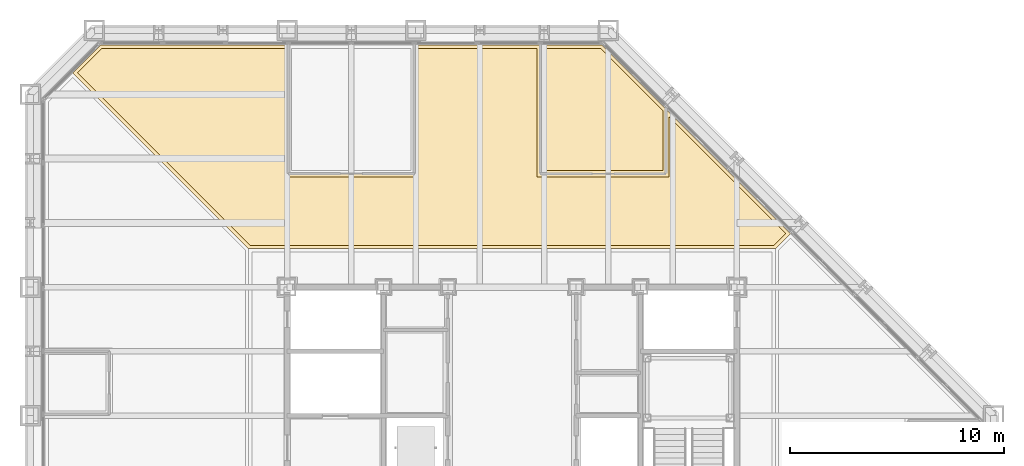
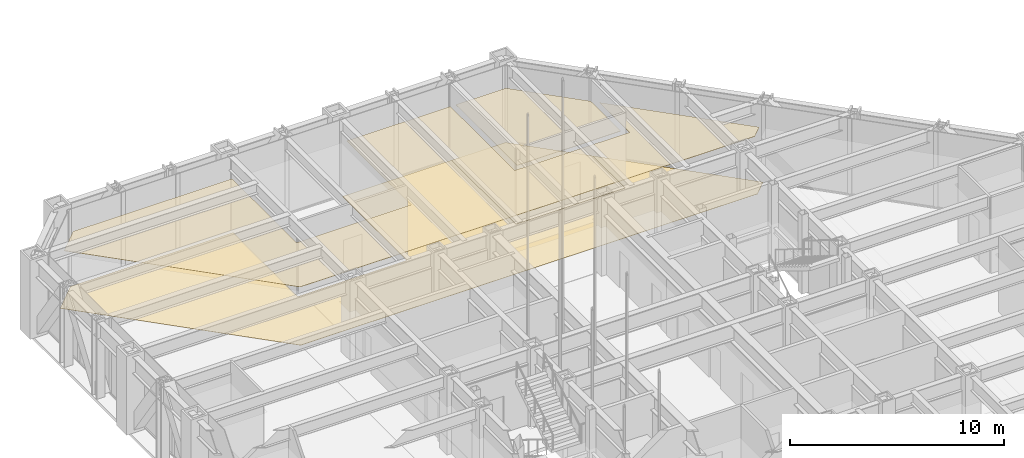
# One storey, part 17 of 26: 4 coverings.
"""IFC4 building model written with IfcOpenShell, lengths in metres."""

from ifc_helpers import new_model, si_unit, direction, frame, origin, place, context, subcontext, project, spatial, polyline, outline, extrude, material, layer, layer_set, type_object, element, save


model = new_model("IFC4")

# Units and contexts
model_context = context("Model", 3, precision=1e-05, world=origin(), true_north=direction((0.0, 1.0)))
body_context = subcontext(model_context, "Body", "Model", "MODEL_VIEW")
ifc_project = project(units=[si_unit("LENGTHUNIT", "METRE"), si_unit("AREAUNIT", "SQUARE_METRE"), si_unit("VOLUMEUNIT", "CUBIC_METRE"), si_unit("PLANEANGLEUNIT", "RADIAN"), si_unit("MASSUNIT", "GRAM", prefix="KILO")], contexts=[model_context])

# Site, building, storey
site_placement = place(None, origin())
site = spatial("IfcSite", under=ifc_project, at=site_placement, CompositionType="ELEMENT")
building_placement = place(site_placement, origin())
building = spatial("IfcBuilding", under=site, at=building_placement, Name="Chuquiago Exchange Tower", CompositionType="ELEMENT")
storey_placement = place(building_placement, frame((0.0, 0.0, 102.300048828125)))
storey = spatial("IfcBuildingStorey", under=building, at=storey_placement, Name="L21", CompositionType="ELEMENT", Elevation=102.300048828125)

# Coverings
ifc_material_1 = material(Name="Mineral fibre tile, 600 x 600, on pale metal grid", Category="mineral fibre")
ifc_layer_1 = layer(ifc_material_1, 0.02001953125)
ifc_layer_set_1 = layer_set([ifc_layer_1], Name="CL1 suspended tile ceiling 20")
covering_type_1 = type_object("IfcCoveringType", Name="CL1 suspended tile ceiling 20", PredefinedType="CEILING", material=ifc_layer_set_1)
covering_1_placement = place(storey_placement, frame((0.0, 0.0, 3.199951171875)))
element("IfcCovering", 1, at=covering_1_placement, inside=storey, type_object=covering_type_1, Name="Ceiling Conference room", PredefinedType="CEILING", context=body_context, shape_type="SweptSolid", body=[
    extrude(outline(polyline([(29.54296875, 41.255126953125), (29.54296875, 38.449951171875), (23.963623046875, 38.449951171875), (23.963623046875, 44.14990234375), (26.64794921875, 44.14990234375), (29.54296875, 41.255126953125)])), origin(), (0.0, 0.0, 1.0), 0.02001953125),
])
covering_2_placement = place(storey_placement, frame((0.0, 0.0, 3.199951171875)))
element("IfcCovering", 2, at=covering_2_placement, inside=storey, type_object=covering_type_1, Name="Ceiling Cafe", PredefinedType="CEILING", context=body_context, shape_type="SweptSolid", body=[
    extrude(outline(polyline([(11.912109375, 44.14990234375), (11.912109375, 38.14990234375), (18.087890625, 38.14990234375), (18.087890625, 44.14990234375), (23.66357421875, 44.14990234375), (23.66357421875, 38.14990234375), (29.843017578125, 38.14990234375), (29.843017578125, 40.955078125), (35.29296875, 35.5048828125), (34.73779296875, 34.949951171875), (10.26220703125, 34.949951171875), (2.20703125, 43.0048828125), (3.35205078125, 44.14990234375), (11.912109375, 44.14990234375)])), origin(), (0.0, 0.0, 1.0), 0.02001953125),
])
ifc_material_2 = material(Name="Porcelain floor tile, 600 x 600, on adhesive bed", Category="ceramic")
ifc_layer_2 = layer(ifc_material_2, 0.014892578125)
ifc_layer_set_2 = layer_set([ifc_layer_2], Name="FL2 porcelain tile 15")
covering_type_2 = type_object("IfcCoveringType", Name="FL2 porcelain tile 15", PredefinedType="FLOORING", material=ifc_layer_set_2)
covering_3_placement = place(storey_placement, origin())
element("IfcCovering", 3, at=covering_3_placement, inside=storey, type_object=covering_type_2, Name="Floor finish Conference room", PredefinedType="FLOORING", context=body_context, shape_type="SweptSolid", body=[
    extrude(outline(polyline([(26.710205078125, 44.300048828125), (29.69287109375, 41.317138671875), (29.69287109375, 38.300048828125), (23.813720703125, 38.300048828125), (23.813720703125, 44.300048828125), (26.710205078125, 44.300048828125)])), origin(), (0.0, 0.0, 1.0), 0.014892578125),
])
covering_4_placement = place(storey_placement, origin())
element("IfcCovering", 4, at=covering_4_placement, inside=storey, type_object=covering_type_2, Name="Floor finish Cafe", PredefinedType="FLOORING", context=body_context, shape_type="SweptSolid", body=[
    extrude(outline(polyline([(3.289794921875, 44.300048828125), (12.06201171875, 44.300048828125), (12.06201171875, 38.300048828125), (17.93798828125, 38.300048828125), (17.93798828125, 44.300048828125), (23.813720703125, 44.300048828125), (23.813720703125, 38.300048828125), (29.69287109375, 38.300048828125), (29.69287109375, 41.317138671875), (35.5048828125, 35.5048828125), (34.800048828125, 34.800048828125), (10.199951171875, 34.800048828125), (1.9951171875, 43.0048828125), (3.289794921875, 44.300048828125)])), origin(), (0.0, 0.0, 1.0), 0.014892578125),
])

save(model, "model.ifc")
